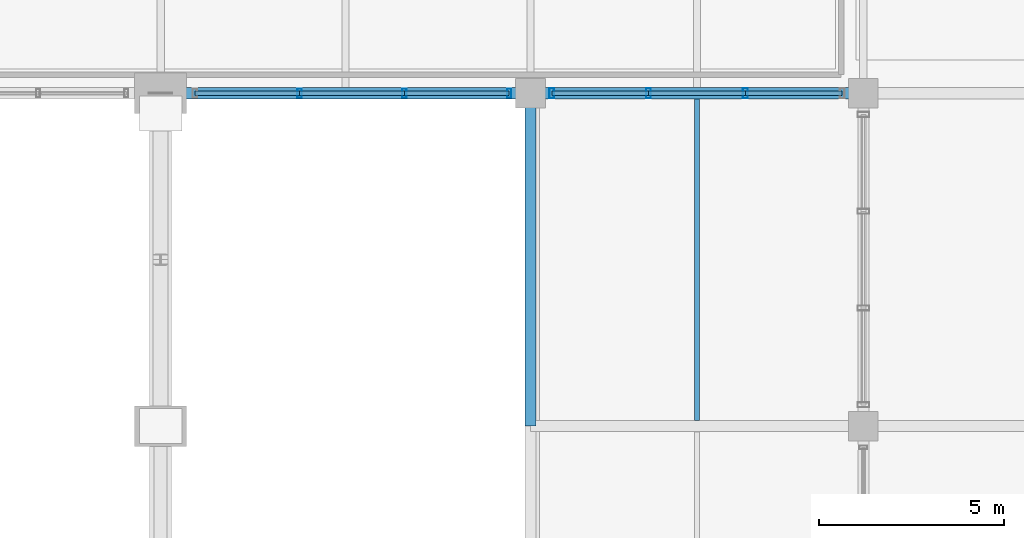
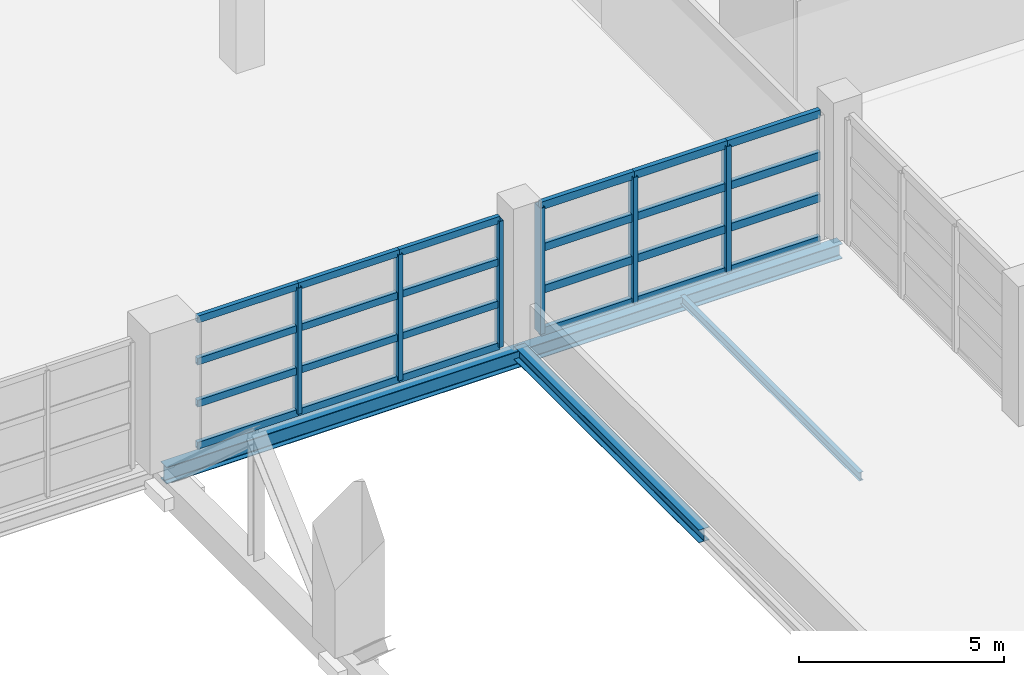
# One storey, part 86 of 136: 30 members, 4 beams, 2 elements without a shape of their own.
"""IFC4 building model written with IfcOpenShell, lengths in metres."""

from ifc_helpers import new_model, si_unit, direction, frame, origin, origin_2d, place, context, subcontext, project, spatial, hollow_rectangle, i_section, extrude, material, material_profile, profile_set, type_object, element, aggregate, save


model = new_model("IFC4")

# Units and contexts
model_context = context("Model", 3, precision=1e-05, world=origin(), true_north=direction((0.0, 1.0)))
body_context = subcontext(model_context, "Body", "Model", "MODEL_VIEW")
ifc_project = project(units=[si_unit("LENGTHUNIT", "METRE"), si_unit("AREAUNIT", "SQUARE_METRE"), si_unit("VOLUMEUNIT", "CUBIC_METRE"), si_unit("PLANEANGLEUNIT", "RADIAN"), si_unit("MASSUNIT", "GRAM", prefix="KILO")], contexts=[model_context])

# Site, building, storey
site_placement = place(None, origin())
site = spatial("IfcSite", under=ifc_project, at=site_placement, CompositionType="ELEMENT")
building_placement = place(site_placement, origin())
building = spatial("IfcBuilding", under=site, at=building_placement, Name="Chuanluo Vaults Station", CompositionType="ELEMENT")
storey_placement = place(building_placement, frame((0.0, 0.0, 6.60009765625)))
storey = spatial("IfcBuildingStorey", under=building, at=storey_placement, Name="L01", CompositionType="ELEMENT", Elevation=6.60009765625)

# Beams
ifc_material_1 = material(Name="Steel Q355C", Category="steel")
ifc_material_profile_1 = material_profile(ifc_material_1, i_section(OverallWidth=0.300048828125, OverallDepth=0.389892578125, WebThickness=0.010009765625, FlangeThickness=0.01611328125, FilletRadius=0.02001953125, at=origin_2d()))
ifc_profile_set_1 = profile_set([ifc_material_profile_1], Name="Steel Q355C")
beam_type_1 = type_object("IfcBeamType", Name="BM-GRD-400", PredefinedType="BEAM", material=ifc_profile_set_1)
beam_1_placement = place(storey_placement, frame((136.0, 94.5, -0.400146484375), z_axis=(0.0, 1.0, 0.0), x_axis=(-1.0, 0.0, 0.0)))
element("IfcBeam", 1, at=beam_1_placement, inside=storey, type_object=beam_type_1, Name="Floor girder BM:GY:L01:0463", PredefinedType="BEAM", context=body_context, shape_type="SweptSolid", body=[
    extrude(i_section(OverallWidth=0.300048828125, OverallDepth=0.389892578125, WebThickness=0.010009765625, FlangeThickness=0.01611328125, FilletRadius=0.02001953125, at=origin_2d()), origin(), (0.0, 0.0, 1.0), 9.0),
])
ifc_material_2 = material(Name="Steel Q355C", Category="steel")
ifc_material_profile_2 = material_profile(ifc_material_2, i_section(OverallWidth=0.300048828125, OverallDepth=0.43994140625, WebThickness=0.010986328125, FlangeThickness=0.01806640625, FilletRadius=0.02001953125, at=origin_2d()))
ifc_profile_set_2 = profile_set([ifc_material_profile_2], Name="Steel Q355C")
beam_type_2 = type_object("IfcBeamType", Name="BM-GRD-450", PredefinedType="USERDEFINED", material=ifc_profile_set_2)
beam_2_placement = place(storey_placement, frame((136.0, 103.5, -0.47998046875), z_axis=(1.0, 0.0, 0.0), x_axis=(0.0, 1.0, 0.0)))
element("IfcBeam", 2, at=beam_2_placement, inside=storey, type_object=beam_type_2, Name="Floor girder BM:GX:L01:0371", ObjectType="GIRDER", PredefinedType="USERDEFINED", context=body_context, shape_type="SweptSolid", body=[
    extrude(i_section(OverallWidth=0.300048828125, OverallDepth=0.43994140625, WebThickness=0.010986328125, FlangeThickness=0.01806640625, FilletRadius=0.02001953125, at=origin_2d()), origin(), (0.0, 0.0, 1.0), 9.0),
])
ifc_material_3 = material(Name="Steel Q355C", Category="steel")
ifc_material_profile_3 = material_profile(ifc_material_3, i_section(OverallWidth=0.300048828125, OverallDepth=0.5, WebThickness=0.010986328125, FlangeThickness=0.01806640625, FilletRadius=0.02001953125, at=origin_2d()))
ifc_profile_set_3 = profile_set([ifc_material_profile_3], Name="Steel Q355C")
beam_type_3 = type_object("IfcBeamType", Name="BM-GRD-500", PredefinedType="USERDEFINED", material=ifc_profile_set_3)
beam_3_placement = place(storey_placement, frame((126.0, 103.5, -0.510009765625), z_axis=(1.0, 0.0, 0.0), x_axis=(0.0, 1.0, 0.0)))
element("IfcBeam", 3, at=beam_3_placement, inside=storey, type_object=beam_type_3, Name="Floor girder BM:GX:L01:0370", ObjectType="GIRDER", PredefinedType="USERDEFINED", context=body_context, shape_type="SweptSolid", body=[
    extrude(i_section(OverallWidth=0.300048828125, OverallDepth=0.5, WebThickness=0.010986328125, FlangeThickness=0.01806640625, FilletRadius=0.02001953125, at=origin_2d()), origin(), (0.0, 0.0, 1.0), 10.0),
])
ifc_material_4 = material(Name="Steel Q355C", Category="steel")
ifc_material_profile_4 = material_profile(ifc_material_4, i_section(OverallWidth=0.125, OverallDepth=0.25, WebThickness=0.006103515625, FlangeThickness=0.009033203125, FilletRadius=0.011962890625, at=origin_2d()))
ifc_profile_set_4 = profile_set([ifc_material_profile_4], Name="Steel Q355C")
beam_type_4 = type_object("IfcBeamType", Name="BM-SEC-250", PredefinedType="JOIST", material=ifc_profile_set_4)
beam_4_placement = place(storey_placement, frame((140.5, 94.655029296875, -0.330078125), z_axis=(0.0, 1.0, 0.0), x_axis=(-1.0, 0.0, 0.0)))
element("IfcBeam", 4, at=beam_4_placement, inside=storey, type_object=beam_type_4, Name="Composite secondary joist 0155", PredefinedType="JOIST", context=body_context, shape_type="SweptSolid", body=[
    extrude(i_section(OverallWidth=0.125, OverallDepth=0.25, WebThickness=0.006103515625, FlangeThickness=0.009033203125, FilletRadius=0.011962890625, at=origin_2d()), origin(), (0.0, 0.0, 1.0), 8.68994140625),
])

# Curtain wall, members
ifc_material_5 = material(Name="Anodised aluminium 6063-T6", Category="aluminium")
curtain_wall_type_1 = type_object("IfcCurtainWallType", Name="CW-SYS-15", PredefinedType="NOTDEFINED", material=ifc_material_5)
curtain_wall_1_placement = place(storey_placement, origin())
curtain_wall_1 = element("IfcCurtainWall", 5, at=curtain_wall_1_placement, inside=storey, type_object=curtain_wall_type_1, Name="Operations L01 facade CW part 2", PredefinedType="NOTDEFINED")
ifc_material_6 = material(Name="Anodised aluminium 6063-T6", Category="aluminium")
ifc_material_profile_5 = material_profile(ifc_material_6, hollow_rectangle(XDim=0.1201171875, YDim=0.25, WallThickness=0.006103515625, at=origin_2d()))
ifc_profile_set_5 = profile_set([ifc_material_profile_5], Name="Anodised aluminium 6063-T6")
member_type_1 = type_object("IfcMemberType", Name="CWM-160", PredefinedType="MULLION", material=ifc_profile_set_5)
member_1_placement = place(storey_placement, frame((135.425048828125, 103.5, 0.0), z_axis=(0.0, 0.0, 1.0), x_axis=(-1.0, 0.0, 0.0)))
member_1 = element("IfcMember", 6, at=member_1_placement, type_object=member_type_1, Name="Operations L01 facade CW part 2 mullion 1", PredefinedType="MULLION", context=body_context, shape_type="SweptSolid", body=[
    extrude(hollow_rectangle(XDim=0.1201171875, YDim=0.25, WallThickness=0.006103515625, at=origin_2d()), origin(), (0.0, 0.0, 1.0), 3.75),
])
member_2_placement = place(storey_placement, frame((132.591796875, 103.5, 0.0), z_axis=(0.0, 0.0, 1.0), x_axis=(-1.0, 0.0, 0.0)))
member_2 = element("IfcMember", 7, at=member_2_placement, type_object=member_type_1, Name="Operations L01 facade CW part 2 mullion 2", PredefinedType="MULLION", context=body_context, shape_type="SweptSolid", body=[
    extrude(hollow_rectangle(XDim=0.1201171875, YDim=0.25, WallThickness=0.006103515625, at=origin_2d()), origin(), (0.0, 0.0, 1.0), 3.75),
])
member_3_placement = place(storey_placement, frame((129.75830078125, 103.5, 0.0), z_axis=(0.0, 0.0, 1.0), x_axis=(-1.0, 0.0, 0.0)))
member_3 = element("IfcMember", 8, at=member_3_placement, type_object=member_type_1, Name="Operations L01 facade CW part 2 mullion 3", PredefinedType="MULLION", context=body_context, shape_type="SweptSolid", body=[
    extrude(hollow_rectangle(XDim=0.1201171875, YDim=0.25, WallThickness=0.006103515625, at=origin_2d()), origin(), (0.0, 0.0, 1.0), 3.75),
])

ifc_material_7 = material(Name="Anodised aluminium 6063-T6", Category="aluminium")
curtain_wall_type_2 = type_object("IfcCurtainWallType", Name="CW-SYS-14", PredefinedType="NOTDEFINED", material=ifc_material_7)
curtain_wall_2_placement = place(storey_placement, origin())
curtain_wall_2 = element("IfcCurtainWall", 9, at=curtain_wall_2_placement, inside=storey, type_object=curtain_wall_type_2, Name="Operations L01 facade CW part 1", PredefinedType="NOTDEFINED")
ifc_material_8 = material(Name="Anodised aluminium 6063-T6", Category="aluminium")
ifc_material_profile_6 = material_profile(ifc_material_8, hollow_rectangle(XDim=0.1298828125, YDim=0.280029296875, WallThickness=0.007080078125, at=origin_2d()))
ifc_profile_set_6 = profile_set([ifc_material_profile_6], Name="Anodised aluminium 6063-T6")
member_type_2 = type_object("IfcMemberType", Name="CWM-180", PredefinedType="MULLION", material=ifc_profile_set_6)
member_4_placement = place(storey_placement, frame((141.808349609375, 103.5, 0.0), z_axis=(0.0, 0.0, 1.0), x_axis=(-1.0, 0.0, 0.0)))
member_4 = element("IfcMember", 10, at=member_4_placement, type_object=member_type_2, Name="Operations L01 facade CW part 1 mullion 2", PredefinedType="MULLION", context=body_context, shape_type="SweptSolid", body=[
    extrude(hollow_rectangle(XDim=0.1298828125, YDim=0.280029296875, WallThickness=0.007080078125, at=origin_2d()), origin(), (0.0, 0.0, 1.0), 3.75),
])
member_5_placement = place(storey_placement, frame((139.191650390625, 103.5, 0.0), z_axis=(0.0, 0.0, 1.0), x_axis=(-1.0, 0.0, 0.0)))
member_5 = element("IfcMember", 11, at=member_5_placement, type_object=member_type_2, Name="Operations L01 facade CW part 1 mullion 3", PredefinedType="MULLION", context=body_context, shape_type="SweptSolid", body=[
    extrude(hollow_rectangle(XDim=0.1298828125, YDim=0.280029296875, WallThickness=0.007080078125, at=origin_2d()), origin(), (0.0, 0.0, 1.0), 3.75),
])
member_6_placement = place(storey_placement, frame((136.574951171875, 103.5, 0.0), z_axis=(0.0, 0.0, 1.0), x_axis=(-1.0, 0.0, 0.0)))
member_6 = element("IfcMember", 12, at=member_6_placement, type_object=member_type_2, Name="Operations L01 facade CW part 1 mullion 4", PredefinedType="MULLION", context=body_context, shape_type="SweptSolid", body=[
    extrude(hollow_rectangle(XDim=0.1298828125, YDim=0.280029296875, WallThickness=0.007080078125, at=origin_2d()), origin(), (0.0, 0.0, 1.0), 3.75),
])

# Member
ifc_material_9 = material(Name="Anodised aluminium 6063-T6", Category="aluminium")
ifc_material_profile_7 = material_profile(ifc_material_9, hollow_rectangle(XDim=0.1201171875, YDim=0.205078125, WallThickness=0.006103515625, at=origin_2d()))
ifc_profile_set_7 = profile_set([ifc_material_profile_7], Name="Anodised aluminium 6063-T6")
member_type_3 = type_object("IfcMemberType", Name="CWT-130", PredefinedType="USERDEFINED", material=ifc_profile_set_7)
member_7_placement = place(storey_placement, frame((135.425048828125, 103.5, 0.0), z_axis=(-1.0, 0.0, 0.0), x_axis=(0.0, -1.0, 0.0)))
member_7 = element("IfcMember", 13, at=member_7_placement, type_object=member_type_3, Name="Operations L01 facade CW part 2 transom 1.1", ObjectType="TRANSOM", PredefinedType="USERDEFINED", context=body_context, shape_type="SweptSolid", body=[
    extrude(hollow_rectangle(XDim=0.1201171875, YDim=0.205078125, WallThickness=0.006103515625, at=origin_2d()), origin(), (0.0, 0.0, 1.0), 2.833251953125),
])

member_8_placement = place(storey_placement, frame((135.425048828125, 103.5, 1.25), z_axis=(-1.0, 0.0, 0.0), x_axis=(0.0, -1.0, 0.0)))
member_8 = element("IfcMember", 14, at=member_8_placement, type_object=member_type_3, Name="Operations L01 facade CW part 2 transom 1.2", ObjectType="TRANSOM", PredefinedType="USERDEFINED", context=body_context, shape_type="SweptSolid", body=[
    extrude(hollow_rectangle(XDim=0.1201171875, YDim=0.205078125, WallThickness=0.006103515625, at=origin_2d()), origin(), (0.0, 0.0, 1.0), 2.833251953125),
])

member_9_placement = place(storey_placement, frame((135.425048828125, 103.5, 2.5), z_axis=(-1.0, 0.0, 0.0), x_axis=(0.0, -1.0, 0.0)))
member_9 = element("IfcMember", 15, at=member_9_placement, type_object=member_type_3, Name="Operations L01 facade CW part 2 transom 1.3", ObjectType="TRANSOM", PredefinedType="USERDEFINED", context=body_context, shape_type="SweptSolid", body=[
    extrude(hollow_rectangle(XDim=0.1201171875, YDim=0.205078125, WallThickness=0.006103515625, at=origin_2d()), origin(), (0.0, 0.0, 1.0), 2.833251953125),
])

member_10_placement = place(storey_placement, frame((135.425048828125, 103.5, 3.75), z_axis=(-1.0, 0.0, 0.0), x_axis=(0.0, -1.0, 0.0)))
member_10 = element("IfcMember", 16, at=member_10_placement, type_object=member_type_3, Name="Operations L01 facade CW part 2 transom 1.4", ObjectType="TRANSOM", PredefinedType="USERDEFINED", context=body_context, shape_type="SweptSolid", body=[
    extrude(hollow_rectangle(XDim=0.1201171875, YDim=0.205078125, WallThickness=0.006103515625, at=origin_2d()), origin(), (0.0, 0.0, 1.0), 2.833251953125),
])

member_11_placement = place(storey_placement, frame((132.591796875, 103.5, 0.0), z_axis=(-1.0, 0.0, 0.0), x_axis=(0.0, -1.0, 0.0)))
member_11 = element("IfcMember", 17, at=member_11_placement, type_object=member_type_3, Name="Operations L01 facade CW part 2 transom 2.1", ObjectType="TRANSOM", PredefinedType="USERDEFINED", context=body_context, shape_type="SweptSolid", body=[
    extrude(hollow_rectangle(XDim=0.1201171875, YDim=0.205078125, WallThickness=0.006103515625, at=origin_2d()), origin(), (0.0, 0.0, 1.0), 2.83349609375),
])

member_12_placement = place(storey_placement, frame((132.591796875, 103.5, 1.25), z_axis=(-1.0, 0.0, 0.0), x_axis=(0.0, -1.0, 0.0)))
member_12 = element("IfcMember", 18, at=member_12_placement, type_object=member_type_3, Name="Operations L01 facade CW part 2 transom 2.2", ObjectType="TRANSOM", PredefinedType="USERDEFINED", context=body_context, shape_type="SweptSolid", body=[
    extrude(hollow_rectangle(XDim=0.1201171875, YDim=0.205078125, WallThickness=0.006103515625, at=origin_2d()), origin(), (0.0, 0.0, 1.0), 2.83349609375),
])

member_13_placement = place(storey_placement, frame((132.591796875, 103.5, 2.5), z_axis=(-1.0, 0.0, 0.0), x_axis=(0.0, -1.0, 0.0)))
member_13 = element("IfcMember", 19, at=member_13_placement, type_object=member_type_3, Name="Operations L01 facade CW part 2 transom 2.3", ObjectType="TRANSOM", PredefinedType="USERDEFINED", context=body_context, shape_type="SweptSolid", body=[
    extrude(hollow_rectangle(XDim=0.1201171875, YDim=0.205078125, WallThickness=0.006103515625, at=origin_2d()), origin(), (0.0, 0.0, 1.0), 2.83349609375),
])

member_14_placement = place(storey_placement, frame((132.591796875, 103.5, 3.75), z_axis=(-1.0, 0.0, 0.0), x_axis=(0.0, -1.0, 0.0)))
member_14 = element("IfcMember", 20, at=member_14_placement, type_object=member_type_3, Name="Operations L01 facade CW part 2 transom 2.4", ObjectType="TRANSOM", PredefinedType="USERDEFINED", context=body_context, shape_type="SweptSolid", body=[
    extrude(hollow_rectangle(XDim=0.1201171875, YDim=0.205078125, WallThickness=0.006103515625, at=origin_2d()), origin(), (0.0, 0.0, 1.0), 2.83349609375),
])

member_15_placement = place(storey_placement, frame((129.75830078125, 103.5, 0.0), z_axis=(-1.0, 0.0, 0.0), x_axis=(0.0, -1.0, 0.0)))
member_15 = element("IfcMember", 21, at=member_15_placement, type_object=member_type_3, Name="Operations L01 facade CW part 2 transom 3.1", ObjectType="TRANSOM", PredefinedType="USERDEFINED", context=body_context, shape_type="SweptSolid", body=[
    extrude(hollow_rectangle(XDim=0.1201171875, YDim=0.205078125, WallThickness=0.006103515625, at=origin_2d()), origin(), (0.0, 0.0, 1.0), 2.833251953125),
])

member_16_placement = place(storey_placement, frame((129.75830078125, 103.5, 1.25), z_axis=(-1.0, 0.0, 0.0), x_axis=(0.0, -1.0, 0.0)))
member_16 = element("IfcMember", 22, at=member_16_placement, type_object=member_type_3, Name="Operations L01 facade CW part 2 transom 3.2", ObjectType="TRANSOM", PredefinedType="USERDEFINED", context=body_context, shape_type="SweptSolid", body=[
    extrude(hollow_rectangle(XDim=0.1201171875, YDim=0.205078125, WallThickness=0.006103515625, at=origin_2d()), origin(), (0.0, 0.0, 1.0), 2.833251953125),
])

member_17_placement = place(storey_placement, frame((129.75830078125, 103.5, 2.5), z_axis=(-1.0, 0.0, 0.0), x_axis=(0.0, -1.0, 0.0)))
member_17 = element("IfcMember", 23, at=member_17_placement, type_object=member_type_3, Name="Operations L01 facade CW part 2 transom 3.3", ObjectType="TRANSOM", PredefinedType="USERDEFINED", context=body_context, shape_type="SweptSolid", body=[
    extrude(hollow_rectangle(XDim=0.1201171875, YDim=0.205078125, WallThickness=0.006103515625, at=origin_2d()), origin(), (0.0, 0.0, 1.0), 2.833251953125),
])

member_18_placement = place(storey_placement, frame((129.75830078125, 103.5, 3.75), z_axis=(-1.0, 0.0, 0.0), x_axis=(0.0, -1.0, 0.0)))
member_18 = element("IfcMember", 24, at=member_18_placement, type_object=member_type_3, Name="Operations L01 facade CW part 2 transom 3.4", ObjectType="TRANSOM", PredefinedType="USERDEFINED", context=body_context, shape_type="SweptSolid", body=[
    extrude(hollow_rectangle(XDim=0.1201171875, YDim=0.205078125, WallThickness=0.006103515625, at=origin_2d()), origin(), (0.0, 0.0, 1.0), 2.833251953125),
])

aggregate(curtain_wall_1, [member_1, member_2, member_3, member_7, member_8, member_9, member_10, member_11, member_12, member_13, member_14, member_15, member_16, member_17, member_18])

ifc_material_10 = material(Name="Anodised aluminium 6063-T6", Category="aluminium")
ifc_material_profile_8 = material_profile(ifc_material_10, hollow_rectangle(XDim=0.1298828125, YDim=0.22998046875, WallThickness=0.006103515625, at=origin_2d()))
ifc_profile_set_8 = profile_set([ifc_material_profile_8], Name="Anodised aluminium 6063-T6")
member_type_4 = type_object("IfcMemberType", Name="CWT-150", PredefinedType="USERDEFINED", material=ifc_profile_set_8)
member_19_placement = place(storey_placement, frame((144.425048828125, 103.5, 0.0), z_axis=(-1.0, 0.0, 0.0), x_axis=(0.0, -1.0, 0.0)))
member_19 = element("IfcMember", 25, at=member_19_placement, type_object=member_type_4, Name="Operations L01 facade CW part 1 transom 1.1", ObjectType="TRANSOM", PredefinedType="USERDEFINED", context=body_context, shape_type="SweptSolid", body=[
    extrude(hollow_rectangle(XDim=0.1298828125, YDim=0.22998046875, WallThickness=0.006103515625, at=origin_2d()), origin(), (0.0, 0.0, 1.0), 2.61669921875),
])

member_20_placement = place(storey_placement, frame((144.425048828125, 103.5, 1.25), z_axis=(-1.0, 0.0, 0.0), x_axis=(0.0, -1.0, 0.0)))
member_20 = element("IfcMember", 26, at=member_20_placement, type_object=member_type_4, Name="Operations L01 facade CW part 1 transom 1.2", ObjectType="TRANSOM", PredefinedType="USERDEFINED", context=body_context, shape_type="SweptSolid", body=[
    extrude(hollow_rectangle(XDim=0.1298828125, YDim=0.22998046875, WallThickness=0.006103515625, at=origin_2d()), origin(), (0.0, 0.0, 1.0), 2.61669921875),
])

member_21_placement = place(storey_placement, frame((144.425048828125, 103.5, 2.5), z_axis=(-1.0, 0.0, 0.0), x_axis=(0.0, -1.0, 0.0)))
member_21 = element("IfcMember", 27, at=member_21_placement, type_object=member_type_4, Name="Operations L01 facade CW part 1 transom 1.3", ObjectType="TRANSOM", PredefinedType="USERDEFINED", context=body_context, shape_type="SweptSolid", body=[
    extrude(hollow_rectangle(XDim=0.1298828125, YDim=0.22998046875, WallThickness=0.006103515625, at=origin_2d()), origin(), (0.0, 0.0, 1.0), 2.61669921875),
])

member_22_placement = place(storey_placement, frame((144.425048828125, 103.5, 3.75), z_axis=(-1.0, 0.0, 0.0), x_axis=(0.0, -1.0, 0.0)))
member_22 = element("IfcMember", 28, at=member_22_placement, type_object=member_type_4, Name="Operations L01 facade CW part 1 transom 1.4", ObjectType="TRANSOM", PredefinedType="USERDEFINED", context=body_context, shape_type="SweptSolid", body=[
    extrude(hollow_rectangle(XDim=0.1298828125, YDim=0.22998046875, WallThickness=0.006103515625, at=origin_2d()), origin(), (0.0, 0.0, 1.0), 2.61669921875),
])

member_23_placement = place(storey_placement, frame((141.808349609375, 103.5, 0.0), z_axis=(-1.0, 0.0, 0.0), x_axis=(0.0, -1.0, 0.0)))
member_23 = element("IfcMember", 29, at=member_23_placement, type_object=member_type_4, Name="Operations L01 facade CW part 1 transom 2.1", ObjectType="TRANSOM", PredefinedType="USERDEFINED", context=body_context, shape_type="SweptSolid", body=[
    extrude(hollow_rectangle(XDim=0.1298828125, YDim=0.22998046875, WallThickness=0.006103515625, at=origin_2d()), origin(), (0.0, 0.0, 1.0), 2.61669921875),
])

member_24_placement = place(storey_placement, frame((141.808349609375, 103.5, 1.25), z_axis=(-1.0, 0.0, 0.0), x_axis=(0.0, -1.0, 0.0)))
member_24 = element("IfcMember", 30, at=member_24_placement, type_object=member_type_4, Name="Operations L01 facade CW part 1 transom 2.2", ObjectType="TRANSOM", PredefinedType="USERDEFINED", context=body_context, shape_type="SweptSolid", body=[
    extrude(hollow_rectangle(XDim=0.1298828125, YDim=0.22998046875, WallThickness=0.006103515625, at=origin_2d()), origin(), (0.0, 0.0, 1.0), 2.61669921875),
])

member_25_placement = place(storey_placement, frame((141.808349609375, 103.5, 2.5), z_axis=(-1.0, 0.0, 0.0), x_axis=(0.0, -1.0, 0.0)))
member_25 = element("IfcMember", 31, at=member_25_placement, type_object=member_type_4, Name="Operations L01 facade CW part 1 transom 2.3", ObjectType="TRANSOM", PredefinedType="USERDEFINED", context=body_context, shape_type="SweptSolid", body=[
    extrude(hollow_rectangle(XDim=0.1298828125, YDim=0.22998046875, WallThickness=0.006103515625, at=origin_2d()), origin(), (0.0, 0.0, 1.0), 2.61669921875),
])

member_26_placement = place(storey_placement, frame((141.808349609375, 103.5, 3.75), z_axis=(-1.0, 0.0, 0.0), x_axis=(0.0, -1.0, 0.0)))
member_26 = element("IfcMember", 32, at=member_26_placement, type_object=member_type_4, Name="Operations L01 facade CW part 1 transom 2.4", ObjectType="TRANSOM", PredefinedType="USERDEFINED", context=body_context, shape_type="SweptSolid", body=[
    extrude(hollow_rectangle(XDim=0.1298828125, YDim=0.22998046875, WallThickness=0.006103515625, at=origin_2d()), origin(), (0.0, 0.0, 1.0), 2.61669921875),
])

member_27_placement = place(storey_placement, frame((139.191650390625, 103.5, 0.0), z_axis=(-1.0, 0.0, 0.0), x_axis=(0.0, -1.0, 0.0)))
member_27 = element("IfcMember", 33, at=member_27_placement, type_object=member_type_4, Name="Operations L01 facade CW part 1 transom 3.1", ObjectType="TRANSOM", PredefinedType="USERDEFINED", context=body_context, shape_type="SweptSolid", body=[
    extrude(hollow_rectangle(XDim=0.1298828125, YDim=0.22998046875, WallThickness=0.006103515625, at=origin_2d()), origin(), (0.0, 0.0, 1.0), 2.61669921875),
])

member_28_placement = place(storey_placement, frame((139.191650390625, 103.5, 1.25), z_axis=(-1.0, 0.0, 0.0), x_axis=(0.0, -1.0, 0.0)))
member_28 = element("IfcMember", 34, at=member_28_placement, type_object=member_type_4, Name="Operations L01 facade CW part 1 transom 3.2", ObjectType="TRANSOM", PredefinedType="USERDEFINED", context=body_context, shape_type="SweptSolid", body=[
    extrude(hollow_rectangle(XDim=0.1298828125, YDim=0.22998046875, WallThickness=0.006103515625, at=origin_2d()), origin(), (0.0, 0.0, 1.0), 2.61669921875),
])

member_29_placement = place(storey_placement, frame((139.191650390625, 103.5, 2.5), z_axis=(-1.0, 0.0, 0.0), x_axis=(0.0, -1.0, 0.0)))
member_29 = element("IfcMember", 35, at=member_29_placement, type_object=member_type_4, Name="Operations L01 facade CW part 1 transom 3.3", ObjectType="TRANSOM", PredefinedType="USERDEFINED", context=body_context, shape_type="SweptSolid", body=[
    extrude(hollow_rectangle(XDim=0.1298828125, YDim=0.22998046875, WallThickness=0.006103515625, at=origin_2d()), origin(), (0.0, 0.0, 1.0), 2.61669921875),
])

member_30_placement = place(storey_placement, frame((139.191650390625, 103.5, 3.75), z_axis=(-1.0, 0.0, 0.0), x_axis=(0.0, -1.0, 0.0)))
member_30 = element("IfcMember", 36, at=member_30_placement, type_object=member_type_4, Name="Operations L01 facade CW part 1 transom 3.4", ObjectType="TRANSOM", PredefinedType="USERDEFINED", context=body_context, shape_type="SweptSolid", body=[
    extrude(hollow_rectangle(XDim=0.1298828125, YDim=0.22998046875, WallThickness=0.006103515625, at=origin_2d()), origin(), (0.0, 0.0, 1.0), 2.61669921875),
])

aggregate(curtain_wall_2, [member_4, member_5, member_6, member_19, member_20, member_21, member_22, member_23, member_24, member_25, member_26, member_27, member_28, member_29, member_30])

save(model, "model.ifc")
